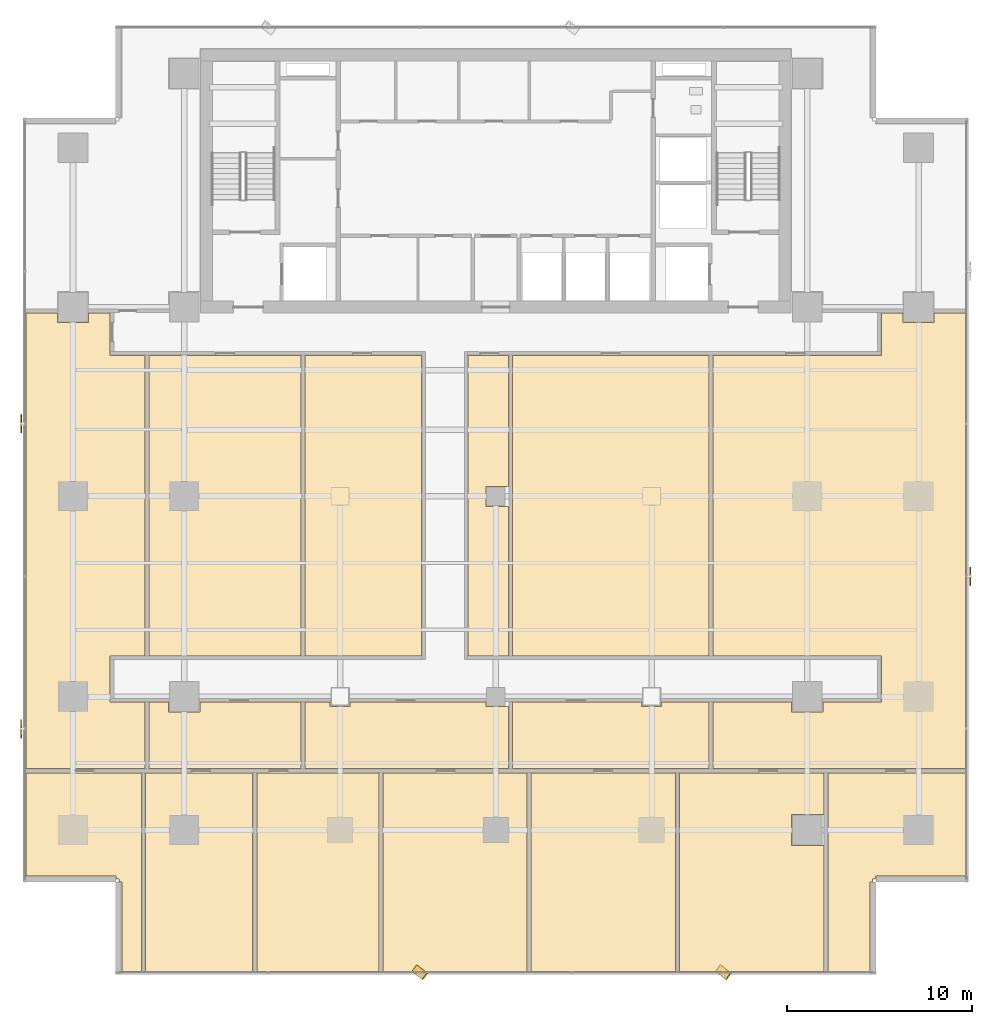
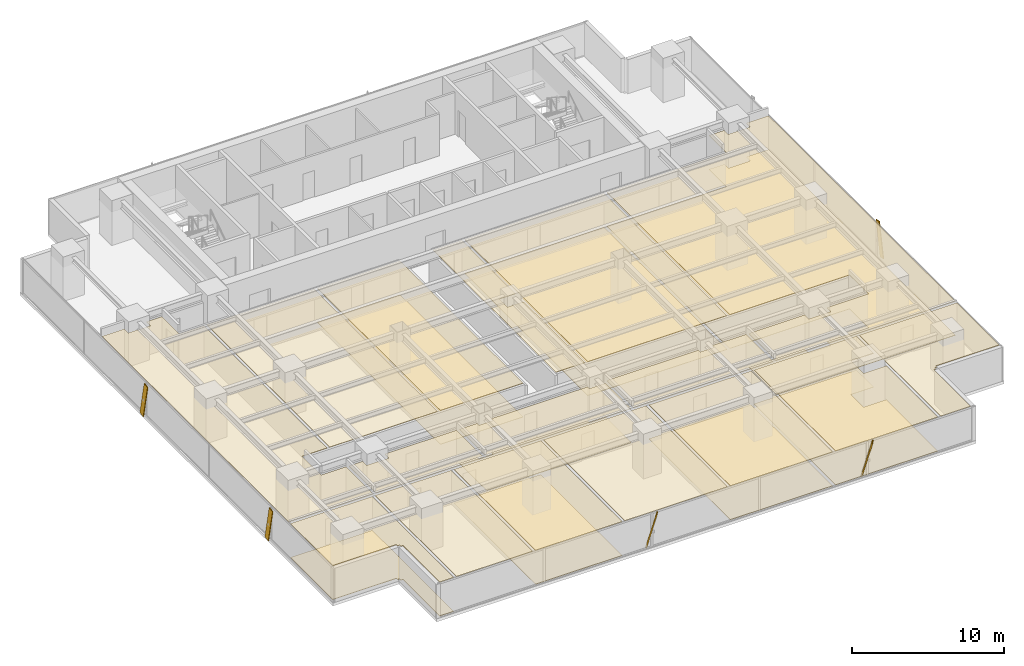
# One storey, part 33 of 37: 24 coverings, 5 shading devices.
"""IFC4 building model written with IfcOpenShell, lengths in metres."""

from ifc_helpers import new_model, si_unit, direction, frame, origin, origin_2d, place, context, subcontext, project, spatial, polyline, rectangle, outline, extrude, source, transform, mapped, material, layer, layer_set, material_profile, profile_set, type_object, element, save


model = new_model("IFC4")

# Units and contexts
model_context = context("Model", 3, precision=1e-05, world=origin(), true_north=direction((0.0, 1.0)))
body_context = subcontext(model_context, "Body", "Model", "MODEL_VIEW")
ifc_project = project(units=[si_unit("LENGTHUNIT", "METRE"), si_unit("AREAUNIT", "SQUARE_METRE"), si_unit("VOLUMEUNIT", "CUBIC_METRE"), si_unit("PLANEANGLEUNIT", "RADIAN"), si_unit("MASSUNIT", "GRAM", prefix="KILO")], contexts=[model_context])

# Site, building, storey
site_placement = place(None, origin())
site = spatial("IfcSite", under=ifc_project, at=site_placement, CompositionType="ELEMENT")
building_placement = place(site_placement, origin())
building = spatial("IfcBuilding", under=site, at=building_placement, Name="Sumidabori Civic Tower", CompositionType="ELEMENT")
storey_placement = place(building_placement, frame((0.0, 0.0, 117.199951171875)))
storey = spatial("IfcBuildingStorey", under=building, at=storey_placement, Name="L30", CompositionType="ELEMENT", Elevation=117.199951171875)

# Coverings
ifc_material_1 = material(Name="Perforated Timber Acoustic Ceiling", Category="wood")
ifc_layer_1 = layer(ifc_material_1, 0.044921875, Name="Perforated Timber Acoustic Ceiling")
ifc_layer_set_1 = layer_set([ifc_layer_1], Name="Perforated Timber Acoustic Ceiling")
covering_type_1 = type_object("IfcCoveringType", Name="CV-CEIL-AC2", PredefinedType="CEILING", material=ifc_layer_set_1)
covering_1_placement = place(storey_placement, frame((0.0, 0.0, 2.7099609375)))
element("IfcCovering", 1, at=covering_1_placement, inside=storey, type_object=covering_type_1, Name="Room Acoustic Ceiling L30-02", PredefinedType="CEILING", context=body_context, shape_type="SweptSolid", body=[
    extrude(outline(polyline([(-18.68994140625, 7.60009765625), (-10.510009765625, 7.60009765625), (-10.510009765625, -8.60009765625), (-18.68994140625, -8.60009765625), (-18.68994140625, 7.60009765625)])), origin(), (0.0, 0.0, 1.0), 0.045166015625),
])
covering_2_placement = place(storey_placement, frame((0.0, 0.0, 2.7099609375)))
element("IfcCovering", 2, at=covering_2_placement, inside=storey, type_object=covering_type_1, Name="Room Acoustic Ceiling L30-03", PredefinedType="CEILING", context=body_context, shape_type="SweptSolid", body=[
    extrude(outline(polyline([(-10.2900390625, 7.60009765625), (-4.0, 7.60009765625), (-4.0, -8.60009765625), (-10.2900390625, -8.60009765625), (-10.2900390625, 7.60009765625)])), origin(), (0.0, 0.0, 1.0), 0.045166015625),
])
covering_3_placement = place(storey_placement, frame((0.0, 0.0, 2.7099609375)))
element("IfcCovering", 3, at=covering_3_placement, inside=storey, type_object=covering_type_1, Name="Room Acoustic Ceiling L30-04", PredefinedType="CEILING", context=body_context, shape_type="SweptSolid", body=[
    extrude(outline(polyline([(-1.5, -8.60009765625), (-1.5, 7.60009765625), (0.68994140625, 7.60009765625), (0.68994140625, 0.5400390625), (-0.5400390625, 0.5400390625), (-0.5400390625, -0.5400390625), (0.68994140625, -0.5400390625), (0.68994140625, -8.60009765625), (-1.5, -8.60009765625)])), origin(), (0.0, 0.0, 1.0), 0.045166015625),
])
covering_4_placement = place(storey_placement, frame((0.0, 0.0, 2.7099609375)))
element("IfcCovering", 4, at=covering_4_placement, inside=storey, type_object=covering_type_1, Name="Room Acoustic Ceiling L30-05", PredefinedType="CEILING", context=body_context, shape_type="SweptSolid", body=[
    extrude(outline(polyline([(0.909912109375, -8.60009765625), (0.909912109375, 7.60009765625), (11.489990234375, 7.60009765625), (11.489990234375, -8.60009765625), (0.909912109375, -8.60009765625)])), origin(), (0.0, 0.0, 1.0), 0.045166015625),
])
covering_5_placement = place(storey_placement, frame((0.0, 0.0, 2.7099609375)))
element("IfcCovering", 5, at=covering_5_placement, inside=storey, type_object=covering_type_1, Name="Room Acoustic Ceiling L30-06", PredefinedType="CEILING", context=body_context, shape_type="SweptSolid", body=[
    extrude(outline(polyline([(-25.330078125, -14.68994140625), (-25.330078125, 9.889892578125), (-23.639892578125, 9.889892578125), (-23.639892578125, 9.360107421875), (-21.9599609375, 9.360107421875), (-21.9599609375, 9.889892578125), (-20.800048828125, 9.889892578125), (-20.800048828125, 7.60009765625), (-18.909912109375, 7.60009765625), (-18.909912109375, -8.60009765625), (-20.800048828125, -8.60009765625), (-20.800048828125, -11.10009765625), (-18.909912109375, -11.10009765625), (-18.909912109375, -14.68994140625), (-25.330078125, -14.68994140625)])), origin(), (0.0, 0.0, 1.0), 0.045166015625),
])
covering_6_placement = place(storey_placement, frame((0.0, 0.0, 2.7099609375)))
element("IfcCovering", 6, at=covering_6_placement, inside=storey, type_object=covering_type_1, Name="Room Acoustic Ceiling L30-07", PredefinedType="CEILING", context=body_context, shape_type="SweptSolid", body=[
    extrude(outline(polyline([(11.7099609375, -11.10009765625), (15.9599609375, -11.10009765625), (15.9599609375, -11.639892578125), (17.639892578125, -11.639892578125), (17.639892578125, -11.10009765625), (20.800048828125, -11.10009765625), (20.800048828125, -8.60009765625), (11.7099609375, -8.60009765625), (11.7099609375, 7.60009765625), (20.800048828125, 7.60009765625), (20.800048828125, 9.889892578125), (21.9599609375, 9.889892578125), (21.9599609375, 9.360107421875), (23.639892578125, 9.360107421875), (23.639892578125, 9.889892578125), (25.330078125, 9.889892578125), (25.330078125, -14.68994140625), (11.7099609375, -14.68994140625), (11.7099609375, -11.10009765625)])), origin(), (0.0, 0.0, 1.0), 0.045166015625),
])
covering_7_placement = place(storey_placement, frame((0.0, 0.0, 2.7099609375)))
element("IfcCovering", 7, at=covering_7_placement, inside=storey, type_object=covering_type_1, Name="Room Acoustic Ceiling L30-08", PredefinedType="CEILING", context=body_context, shape_type="SweptSolid", body=[
    extrude(outline(polyline([(-18.68994140625, -11.10009765625), (-17.639892578125, -11.10009765625), (-17.639892578125, -11.639892578125), (-15.9599609375, -11.639892578125), (-15.9599609375, -11.10009765625), (-10.510009765625, -11.10009765625), (-10.510009765625, -14.68994140625), (-18.68994140625, -14.68994140625), (-18.68994140625, -11.10009765625)])), origin(), (0.0, 0.0, 1.0), 0.045166015625),
])
covering_8_placement = place(storey_placement, frame((0.0, 0.0, 2.7099609375)))
element("IfcCovering", 8, at=covering_8_placement, inside=storey, type_object=covering_type_1, Name="Room Acoustic Ceiling L30-09", PredefinedType="CEILING", context=body_context, shape_type="SweptSolid", body=[
    extrude(outline(polyline([(-10.2900390625, -11.10009765625), (-8.93994140625, -11.10009765625), (-8.93994140625, -11.340087890625), (-7.860107421875, -11.340087890625), (-7.860107421875, -11.10009765625), (-0.5400390625, -11.10009765625), (-0.5400390625, -11.340087890625), (0.68994140625, -11.340087890625), (0.68994140625, -14.68994140625), (-10.2900390625, -14.68994140625), (-10.2900390625, -11.10009765625)])), origin(), (0.0, 0.0, 1.0), 0.045166015625),
])
covering_9_placement = place(storey_placement, frame((0.0, 0.0, 2.7099609375)))
element("IfcCovering", 9, at=covering_9_placement, inside=storey, type_object=covering_type_1, Name="Room Acoustic Ceiling L30-10", PredefinedType="CEILING", context=body_context, shape_type="SweptSolid", body=[
    extrude(outline(polyline([(0.909912109375, -11.10009765625), (7.860107421875, -11.10009765625), (7.860107421875, -11.340087890625), (8.93994140625, -11.340087890625), (8.93994140625, -11.10009765625), (11.489990234375, -11.10009765625), (11.489990234375, -14.68994140625), (0.909912109375, -14.68994140625), (0.909912109375, -11.10009765625)])), origin(), (0.0, 0.0, 1.0), 0.045166015625),
])
covering_10_placement = place(storey_placement, frame((0.0, 0.0, 2.7099609375)))
element("IfcCovering", 10, at=covering_10_placement, inside=storey, type_object=covering_type_1, Name="Room Acoustic Ceiling L30-11", PredefinedType="CEILING", context=body_context, shape_type="SweptSolid", body=[
    extrude(outline(polyline([(-19.110107421875, -14.909912109375), (-19.110107421875, -25.6298828125), (-20.172119140625, -25.6298828125), (-20.172119140625, -20.7919921875), (-20.330078125, -20.7919921875), (-20.330078125, -20.6298828125), (-20.491943359375, -20.6298828125), (-20.491943359375, -20.471923828125), (-25.330078125, -20.471923828125), (-25.330078125, -14.909912109375), (-19.110107421875, -14.909912109375)])), origin(), (0.0, 0.0, 1.0), 0.045166015625),
])
covering_11_placement = place(storey_placement, frame((0.0, 0.0, 2.7099609375)))
element("IfcCovering", 11, at=covering_11_placement, inside=storey, type_object=covering_type_1, Name="Room Acoustic Ceiling L30-12", PredefinedType="CEILING", context=body_context, shape_type="SweptSolid", body=[
    extrude(outline(polyline([(17.909912109375, -14.909912109375), (25.330078125, -14.909912109375), (25.330078125, -20.471923828125), (20.491943359375, -20.471923828125), (20.491943359375, -20.6298828125), (20.330078125, -20.6298828125), (20.330078125, -20.7919921875), (20.172119140625, -20.7919921875), (20.172119140625, -25.6298828125), (17.909912109375, -25.6298828125), (17.909912109375, -14.909912109375)])), origin(), (0.0, 0.0, 1.0), 0.045166015625),
])
covering_12_placement = place(storey_placement, frame((0.0, 0.0, 2.7099609375)))
element("IfcCovering", 12, at=covering_12_placement, inside=storey, type_object=covering_type_1, Name="Room Acoustic Ceiling L30-13", PredefinedType="CEILING", context=body_context, shape_type="SweptSolid", body=[
    extrude(outline(polyline([(-12.889892578125, -14.909912109375), (-6.31005859375, -14.909912109375), (-6.31005859375, -25.6298828125), (-12.889892578125, -25.6298828125), (-12.889892578125, -14.909912109375)])), origin(), (0.0, 0.0, 1.0), 0.045166015625),
])
covering_13_placement = place(storey_placement, frame((0.0, 0.0, 2.7099609375)))
element("IfcCovering", 13, at=covering_13_placement, inside=storey, type_object=covering_type_1, Name="Room Acoustic Ceiling L30-14", PredefinedType="CEILING", context=body_context, shape_type="SweptSolid", body=[
    extrude(outline(polyline([(-6.090087890625, -14.909912109375), (1.68994140625, -14.909912109375), (1.68994140625, -25.6298828125), (-6.090087890625, -25.6298828125), (-6.090087890625, -14.909912109375)])), origin(), (0.0, 0.0, 1.0), 0.045166015625),
])
covering_14_placement = place(storey_placement, frame((0.0, 0.0, 2.7099609375)))
element("IfcCovering", 14, at=covering_14_placement, inside=storey, type_object=covering_type_1, Name="Room Acoustic Ceiling L30-15", PredefinedType="CEILING", context=body_context, shape_type="SweptSolid", body=[
    extrude(outline(polyline([(1.909912109375, -14.909912109375), (9.68994140625, -14.909912109375), (9.68994140625, -25.6298828125), (1.909912109375, -25.6298828125), (1.909912109375, -14.909912109375)])), origin(), (0.0, 0.0, 1.0), 0.045166015625),
])
covering_15_placement = place(storey_placement, frame((0.0, 0.0, 2.7099609375)))
element("IfcCovering", 15, at=covering_15_placement, inside=storey, type_object=covering_type_1, Name="Room Acoustic Ceiling L30-16", PredefinedType="CEILING", context=body_context, shape_type="SweptSolid", body=[
    extrude(outline(polyline([(-18.889892578125, -14.909912109375), (-13.110107421875, -14.909912109375), (-13.110107421875, -25.6298828125), (-18.889892578125, -25.6298828125), (-18.889892578125, -14.909912109375)])), origin(), (0.0, 0.0, 1.0), 0.045166015625),
])
covering_16_placement = place(storey_placement, frame((0.0, 0.0, 2.7099609375)))
element("IfcCovering", 16, at=covering_16_placement, inside=storey, type_object=covering_type_1, Name="Room Acoustic Ceiling L30-17", PredefinedType="CEILING", context=body_context, shape_type="SweptSolid", body=[
    extrude(outline(polyline([(9.909912109375, -14.909912109375), (17.68994140625, -14.909912109375), (17.68994140625, -17.159912109375), (15.9599609375, -17.159912109375), (15.9599609375, -18.840087890625), (17.68994140625, -18.840087890625), (17.68994140625, -25.6298828125), (9.909912109375, -25.6298828125), (9.909912109375, -14.909912109375)])), origin(), (0.0, 0.0, 1.0), 0.045166015625),
])
ifc_material_2 = material(Name="Honed Terrazzo Tile Flooring")
ifc_layer_2 = layer(ifc_material_2, 0.030029296875, Name="Honed Terrazzo Tile Flooring")
ifc_layer_set_2 = layer_set([ifc_layer_2], Name="Honed Terrazzo Tile Flooring")
covering_type_2 = type_object("IfcCoveringType", Name="CV-FLR-TER", PredefinedType="FLOORING", material=ifc_layer_set_2)
covering_17_placement = place(storey_placement, origin())
element("IfcCovering", 17, at=covering_17_placement, inside=storey, type_object=covering_type_2, Name="Room Terrazzo Floor L30-03", PredefinedType="FLOORING", context=body_context, shape_type="SweptSolid", body=[
    extrude(outline(polyline([(-10.2900390625, 7.60009765625), (-4.0, 7.60009765625), (-4.0, -8.60009765625), (-10.2900390625, -8.60009765625), (-10.2900390625, 7.60009765625)])), origin(), (0.0, 0.0, 1.0), 0.030029296875),
])
covering_18_placement = place(storey_placement, origin())
element("IfcCovering", 18, at=covering_18_placement, inside=storey, type_object=covering_type_2, Name="Room Terrazzo Floor L30-05", PredefinedType="FLOORING", context=body_context, shape_type="SweptSolid", body=[
    extrude(outline(polyline([(0.909912109375, -8.60009765625), (0.909912109375, 7.60009765625), (11.489990234375, 7.60009765625), (11.489990234375, -8.60009765625), (0.909912109375, -8.60009765625)])), origin(), (0.0, 0.0, 1.0), 0.030029296875),
])
covering_19_placement = place(storey_placement, origin())
element("IfcCovering", 19, at=covering_19_placement, inside=storey, type_object=covering_type_2, Name="Room Terrazzo Floor L30-07", PredefinedType="FLOORING", context=body_context, shape_type="SweptSolid", body=[
    extrude(outline(polyline([(11.7099609375, -11.10009765625), (15.9599609375, -11.10009765625), (15.9599609375, -11.639892578125), (17.639892578125, -11.639892578125), (17.639892578125, -11.10009765625), (20.800048828125, -11.10009765625), (20.800048828125, -8.60009765625), (11.7099609375, -8.60009765625), (11.7099609375, 7.60009765625), (20.800048828125, 7.60009765625), (20.800048828125, 9.889892578125), (21.9599609375, 9.889892578125), (21.9599609375, 9.360107421875), (23.639892578125, 9.360107421875), (23.639892578125, 9.889892578125), (25.330078125, 9.889892578125), (25.330078125, -14.68994140625), (11.7099609375, -14.68994140625), (11.7099609375, -11.10009765625)])), origin(), (0.0, 0.0, 1.0), 0.030029296875),
])
covering_20_placement = place(storey_placement, origin())
element("IfcCovering", 20, at=covering_20_placement, inside=storey, type_object=covering_type_2, Name="Room Terrazzo Floor L30-09", PredefinedType="FLOORING", context=body_context, shape_type="SweptSolid", body=[
    extrude(outline(polyline([(-10.2900390625, -11.10009765625), (-8.93994140625, -11.10009765625), (-8.93994140625, -11.340087890625), (-7.860107421875, -11.340087890625), (-7.860107421875, -11.10009765625), (-0.5400390625, -11.10009765625), (-0.5400390625, -11.340087890625), (0.68994140625, -11.340087890625), (0.68994140625, -14.68994140625), (-10.2900390625, -14.68994140625), (-10.2900390625, -11.10009765625)])), origin(), (0.0, 0.0, 1.0), 0.030029296875),
])
covering_21_placement = place(storey_placement, origin())
element("IfcCovering", 21, at=covering_21_placement, inside=storey, type_object=covering_type_2, Name="Room Terrazzo Floor L30-11", PredefinedType="FLOORING", context=body_context, shape_type="SweptSolid", body=[
    extrude(outline(polyline([(-19.110107421875, -14.909912109375), (-19.110107421875, -25.6298828125), (-20.172119140625, -25.6298828125), (-20.172119140625, -20.7919921875), (-20.330078125, -20.7919921875), (-20.330078125, -20.6298828125), (-20.491943359375, -20.6298828125), (-20.491943359375, -20.471923828125), (-25.330078125, -20.471923828125), (-25.330078125, -14.909912109375), (-19.110107421875, -14.909912109375)])), origin(), (0.0, 0.0, 1.0), 0.030029296875),
])
covering_22_placement = place(storey_placement, origin())
element("IfcCovering", 22, at=covering_22_placement, inside=storey, type_object=covering_type_2, Name="Room Terrazzo Floor L30-13", PredefinedType="FLOORING", context=body_context, shape_type="SweptSolid", body=[
    extrude(outline(polyline([(-12.889892578125, -14.909912109375), (-6.31005859375, -14.909912109375), (-6.31005859375, -25.6298828125), (-12.889892578125, -25.6298828125), (-12.889892578125, -14.909912109375)])), origin(), (0.0, 0.0, 1.0), 0.030029296875),
])
covering_23_placement = place(storey_placement, origin())
element("IfcCovering", 23, at=covering_23_placement, inside=storey, type_object=covering_type_2, Name="Room Terrazzo Floor L30-15", PredefinedType="FLOORING", context=body_context, shape_type="SweptSolid", body=[
    extrude(outline(polyline([(1.909912109375, -14.909912109375), (9.68994140625, -14.909912109375), (9.68994140625, -25.6298828125), (1.909912109375, -25.6298828125), (1.909912109375, -14.909912109375)])), origin(), (0.0, 0.0, 1.0), 0.030029296875),
])
covering_24_placement = place(storey_placement, origin())
element("IfcCovering", 24, at=covering_24_placement, inside=storey, type_object=covering_type_2, Name="Room Terrazzo Floor L30-17", PredefinedType="FLOORING", context=body_context, shape_type="SweptSolid", body=[
    extrude(outline(polyline([(9.909912109375, -14.909912109375), (17.68994140625, -14.909912109375), (17.68994140625, -17.159912109375), (15.9599609375, -17.159912109375), (15.9599609375, -18.840087890625), (17.68994140625, -18.840087890625), (17.68994140625, -25.6298828125), (9.909912109375, -25.6298828125), (9.909912109375, -14.909912109375)])), origin(), (0.0, 0.0, 1.0), 0.030029296875),
])

# Shading devices
ifc_material_3 = material(Name="Anodised Bronze Aluminium AW-6063-T6", Category="aluminium")
ifc_material_profile = material_profile(ifc_material_3, rectangle(XDim=0.06005859375, YDim=0.449951171875, at=origin_2d()), Name="BRONZE FIN 450x60")
ifc_profile_set = profile_set([ifc_material_profile], Name="Anodised Bronze Aluminium AW-6063-T6")
shading_device_type = type_object("IfcShadingDeviceType", Name="SH-FIN-450", PredefinedType="USERDEFINED", material=ifc_profile_set)
shared_shape_1 = source(origin(), body_context, "Body", "SweptSolid", [
    extrude(rectangle(XDim=0.06005859375, YDim=0.449951171875, at=origin_2d()), origin(), (0.0, 0.0, 1.0), 2.769775390625),
])
for number, where, z_axis, x_axis, name in (
    (25, (-4.3740234375, -25.469970703125, 0.02001953125), (0.202198633998, -0.151604904305, 0.967538973582), (0.774112159528, -0.58041539424, -0.252721852241), "Bronze Anodised Diagonal Fin L30-02"),
    (26, (12.001953125, -25.469970703125, 0.02001953125), (0.202198633998, -0.151604904305, 0.967538973582), (0.774112159528, -0.58041539424, -0.252721852241), "Bronze Anodised Diagonal Fin L30-04"),
):
    element("IfcShadingDevice", number, at=place(storey_placement, frame(where, z_axis=z_axis, x_axis=x_axis)), inside=storey, type_object=shading_device_type, Name=name, ObjectType="FIN", PredefinedType="USERDEFINED", context=body_context, shape_type="MappedRepresentation", body=[
        mapped(shared_shape_1, transform((0.0, 0.0, 0.0), x_axis=(1.0, 0.0, 0.0), y_axis=(0.0, 1.0, 0.0), z_axis=(0.0, 0.0, 1.0), scale=1.0)),
    ])
shared_shape_2 = source(origin(), body_context, "Body", "SweptSolid", [
    extrude(rectangle(XDim=0.06005859375, YDim=0.449951171875, at=origin_2d()), origin(), (0.0, 0.0, 1.0), 2.73779296875),
])
for number, where, z_axis, x_axis, name in (
    (27, (25.590087890625, -4.593994140625, 0.02001953125), (0.0, 0.204563143937, 0.978853370093), (-1.0, 0.0, 0.0), "Bronze Anodised Diagonal Fin L30-02"),
    (28, (-25.590087890625, 4.194091796875, 0.02001953125), (0.0, -0.204563143937, 0.978853370093), (-1.0, 0.0, 0.0), "Bronze Anodised Diagonal Fin L30-02"),
    (29, (-25.590087890625, -12.261962890625, 0.02001953125), (0.0, -0.204563143937, 0.978853370093), (-1.0, 0.0, 0.0), "Bronze Anodised Diagonal Fin L30-04"),
):
    element("IfcShadingDevice", number, at=place(storey_placement, frame(where, z_axis=z_axis, x_axis=x_axis)), inside=storey, type_object=shading_device_type, Name=name, ObjectType="FIN", PredefinedType="USERDEFINED", context=body_context, shape_type="MappedRepresentation", body=[
        mapped(shared_shape_2, transform((0.0, 0.0, 0.0), x_axis=(1.0, 0.0, 0.0), y_axis=(0.0, 1.0, 0.0), z_axis=(0.0, 0.0, 1.0), scale=1.0)),
    ])

save(model, "model.ifc")
